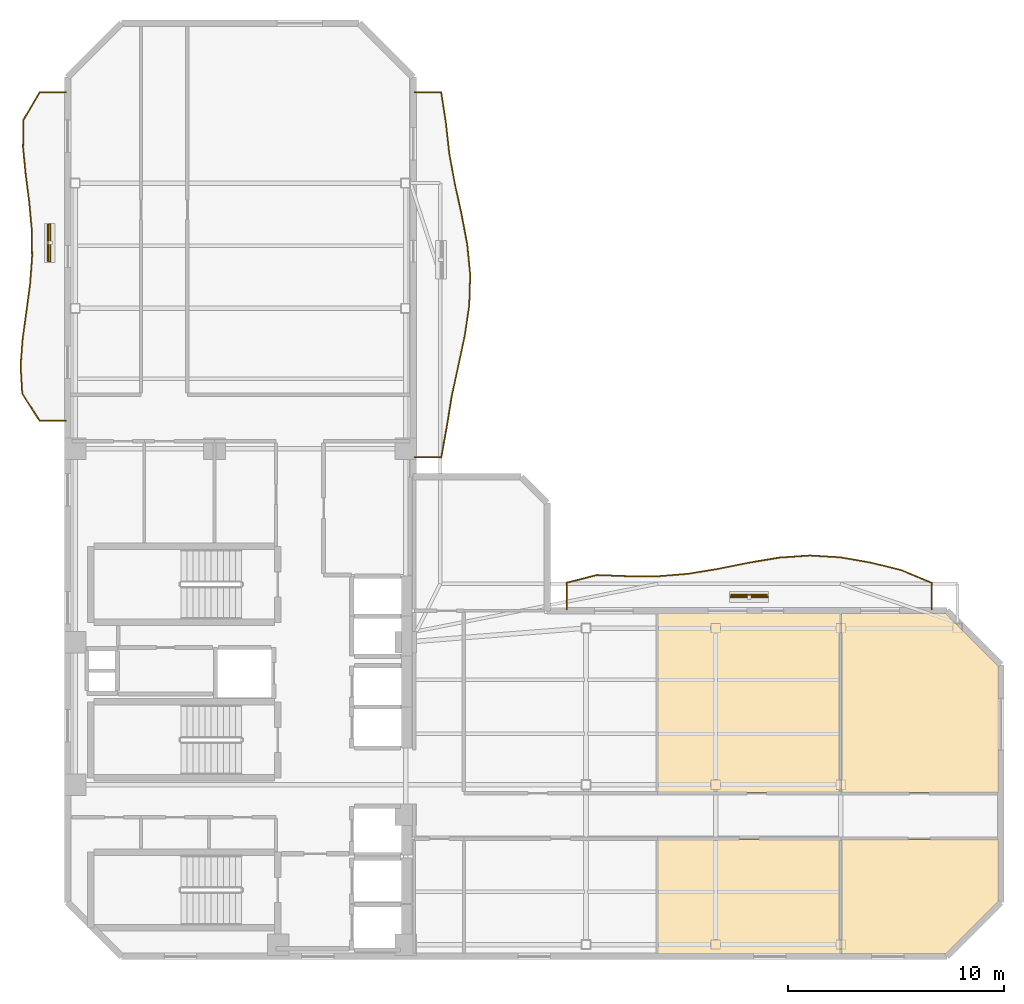
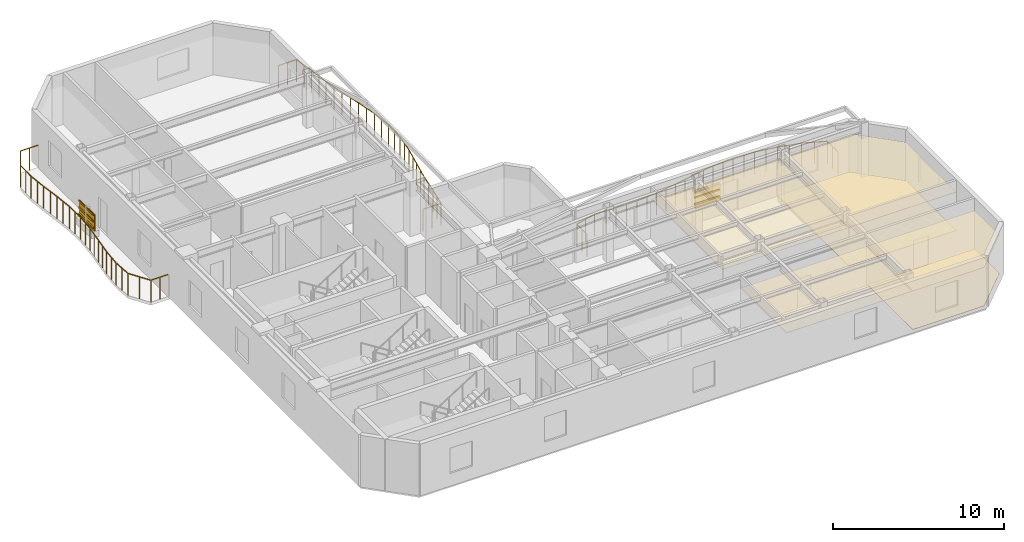
# One storey, part 7 of 8: 8 shading devices, 6 coverings, 3 railings.
"""IFC4 building model written with IfcOpenShell, lengths in metres."""

from ifc_helpers import new_model, si_unit, direction, frame, origin, origin_2d, place, context, subcontext, project, spatial, polyline, rectangle, outline, extrude, material, layer, layer_set, material_profile, profile_set, type_object, element, save


model = new_model("IFC4")

# Units and contexts
model_context = context("Model", 3, precision=1e-05, world=origin(), true_north=direction((0.0, 1.0)))
body_context = subcontext(model_context, "Body", "Model", "MODEL_VIEW")
ifc_project = project(units=[si_unit("LENGTHUNIT", "METRE"), si_unit("AREAUNIT", "SQUARE_METRE"), si_unit("VOLUMEUNIT", "CUBIC_METRE"), si_unit("PLANEANGLEUNIT", "RADIAN"), si_unit("MASSUNIT", "GRAM", prefix="KILO")], contexts=[model_context])

# Site, building, storey
site_placement = place(None, origin())
site = spatial("IfcSite", under=ifc_project, at=site_placement, CompositionType="ELEMENT")
building_placement = place(site_placement, origin())
building = spatial("IfcBuilding", under=site, at=building_placement, Name="Mawjaban Terraces University", CompositionType="ELEMENT")
storey_placement = place(building_placement, frame((0.0, 0.0, 218.699951171875)))
storey = spatial("IfcBuildingStorey", under=building, at=storey_placement, Name="L53", CompositionType="ELEMENT", Elevation=218.699951171875)

# Coverings
ifc_material_1 = material(Name="Acoustic mineral fibre ceiling tile", Category="masonry")
ifc_layer_1 = layer(ifc_material_1, 0.02001953125)
ifc_layer_set_1 = layer_set([ifc_layer_1], Name="Acoustic mineral fibre ceiling tile")
covering_type_1 = type_object("IfcCoveringType", Name="AcousticMineralCeiling_20", PredefinedType="CEILING", material=ifc_layer_set_1)
covering_1_placement = place(storey_placement, frame((0.0, 0.0, 2.75)))
element("IfcCovering", 1, at=covering_1_placement, inside=storey, type_object=covering_type_1, Name="L53 Graduate Study Lounge 4 Acoustic Ceiling", PredefinedType="CEILING", context=body_context, shape_type="SweptSolid", body=[
    extrude(outline(polyline([(49.325927734375, 0.114990234375), (57.77001953125, 0.114990234375), (57.77001953125, 5.419921875), (49.325927734375, 5.419921875), (49.325927734375, 0.114990234375)])), origin(), (0.0, 0.0, 1.0), 0.02001953125),
])
covering_2_placement = place(storey_placement, frame((0.0, 0.0, 2.75)))
element("IfcCovering", 2, at=covering_2_placement, inside=storey, type_object=covering_type_1, Name="L53 Collaborative Study Room 5 Acoustic Ceiling", PredefinedType="CEILING", context=body_context, shape_type="SweptSolid", body=[
    extrude(outline(polyline([(57.77001953125, 15.885009765625), (49.325927734375, 15.885009765625), (49.325927734375, 7.580078125), (57.77001953125, 7.580078125), (57.77001953125, 15.885009765625)])), origin(), (0.0, 0.0, 1.0), 0.02001953125),
])
covering_3_placement = place(storey_placement, frame((0.0, 0.0, 2.75)))
element("IfcCovering", 3, at=covering_3_placement, inside=storey, type_object=covering_type_1, Name="L53 Classroom 6 Acoustic Ceiling", PredefinedType="CEILING", context=body_context, shape_type="SweptSolid", body=[
    extrude(outline(polyline([(57.830078125, 0.114990234375), (62.653076171875, 0.114990234375), (65.0849609375, 2.547119140625), (65.0849609375, 5.419921875), (57.830078125, 5.419921875), (57.830078125, 0.114990234375)])), origin(), (0.0, 0.0, 1.0), 0.02001953125),
])
covering_4_placement = place(storey_placement, frame((0.0, 0.0, 2.75)))
element("IfcCovering", 4, at=covering_4_placement, inside=storey, type_object=covering_type_1, Name="L53 Seminar Room 7 Acoustic Ceiling", PredefinedType="CEILING", context=body_context, shape_type="SweptSolid", body=[
    extrude(outline(polyline([(65.0849609375, 7.580078125), (65.0849609375, 13.452880859375), (62.653076171875, 15.885009765625), (57.830078125, 15.885009765625), (57.830078125, 7.580078125), (65.0849609375, 7.580078125)])), origin(), (0.0, 0.0, 1.0), 0.02001953125),
])

# Railings
ifc_material_2 = material(Name="Galvanised powder-coated steel S355", Category="steel")
railing_type = type_object("IfcRailingType", Name="BalconyBalustrade_1600", PredefinedType="BALUSTRADE", material=ifc_material_2)
railing_1_placement = place(storey_placement, frame((21.919921875, 24.800048828125, 0.0)))
element("IfcRailing", 5, at=railing_1_placement, inside=storey, type_object=railing_type, Name="L53 Balcony Guardrail west", PredefinedType="BALUSTRADE", context=body_context, shape_type="SweptSolid", body=[
    extrude(rectangle(XDim=0.048095703125, YDim=0.048095703125, at=origin_2d()), frame((0.0, 0.0, 1.576171875), z_axis=(-1.0, 0.0, 0.0), x_axis=(0.0, -1.0, 0.0)), (0.0, 0.0, 1.0), 1.219970703125),
    extrude(rectangle(XDim=0.048095703125, YDim=0.048095703125, at=origin_2d()), frame((-1.219970703125, 0.0, 1.576171875), z_axis=(-0.535357970181, 0.844625268248, 0.0), x_axis=(-0.844625268248, -0.535357970181, 0.0)), (0.0, 0.0, 1.0), 1.5),
    extrude(rectangle(XDim=0.048095703125, YDim=0.048095703125, at=origin_2d()), frame((-2.02294921875, 1.266845703125, 1.576171875), z_axis=(-0.059094386176, 0.998252399708, 0.0), x_axis=(-0.998252399708, -0.059094386176, 0.0)), (0.0, 0.0, 1.0), 1.268310546875),
    extrude(rectangle(XDim=0.048095703125, YDim=0.048095703125, at=origin_2d()), frame((-2.097900390625, 2.532958984375, 1.576171875), z_axis=(0.074742182019, 0.997202891205, 0.0), x_axis=(-0.997202891205, 0.074742182019, 0.0)), (0.0, 0.0, 1.0), 1.270751953125),
    extrude(rectangle(XDim=0.048095703125, YDim=0.048095703125, at=origin_2d()), frame((-2.0029296875, 3.800048828125, 1.576171875), z_axis=(0.137625592159, 0.990484324148, 0.0), x_axis=(-0.990484324148, 0.137625592159, 0.0)), (0.0, 0.0, 1.0), 1.279052734375),
    extrude(rectangle(XDim=0.048095703125, YDim=0.048095703125, at=origin_2d()), frame((-1.826904296875, 5.06689453125, 1.576171875), z_axis=(0.133014918765, 0.991114035511, 0.0), x_axis=(-0.991114035511, 0.133014918765, 0.0)), (0.0, 0.0, 1.0), 1.27734375),
    extrude(rectangle(XDim=0.048095703125, YDim=0.048095703125, at=origin_2d()), frame((-1.656982421875, 6.3330078125, 1.576171875), z_axis=(0.0732274267, 0.997315268097, 0.0), x_axis=(-0.997315268097, 0.0732274267, 0.0)), (0.0, 0.0, 1.0), 1.270263671875),
    extrude(rectangle(XDim=0.048095703125, YDim=0.048095703125, at=origin_2d()), frame((-1.56396484375, 7.599853515625, 1.576171875), z_axis=(-0.01425673973, 0.999898367522, 0.0), x_axis=(-0.999898367522, -0.01425673973, 0.0)), (0.0, 0.0, 1.0), 1.267333984375),
    extrude(rectangle(XDim=0.048095703125, YDim=0.048095703125, at=origin_2d()), frame((-1.58203125, 8.866943359375, 1.576171875), z_axis=(-0.092734036255, 0.995690915154, 0.0), x_axis=(-0.995690915154, -0.092734036255, 0.0)), (0.0, 0.0, 1.0), 1.271484375),
    extrude(rectangle(XDim=0.048095703125, YDim=0.048095703125, at=origin_2d()), frame((-1.699951171875, 10.133056640625, 1.576171875), z_axis=(-0.127680223181, 0.991815386354, 0.0), x_axis=(-0.991815386354, -0.127680223181, 0.0)), (0.0, 0.0, 1.0), 1.27734375),
    extrude(rectangle(XDim=0.048095703125, YDim=0.048095703125, at=origin_2d()), frame((-1.863037109375, 11.39990234375, 1.576171875), z_axis=(-0.095705097535, 0.995409731872, 0.0), x_axis=(-0.995409731872, -0.095705097535, 0.0)), (0.0, 0.0, 1.0), 1.27294921875),
    extrude(rectangle(XDim=0.048095703125, YDim=0.048095703125, at=origin_2d()), frame((-1.98486328125, 12.6669921875, 1.576171875), z_axis=(0.017355148491, 0.999849388068, 0.0), x_axis=(-0.999849388068, 0.017355148491, 0.0)), (0.0, 0.0, 1.0), 1.26611328125),
    extrude(rectangle(XDim=0.048095703125, YDim=0.048095703125, at=origin_2d()), frame((-1.962890625, 13.932861328125, 1.576171875), z_axis=(0.505792014702, 0.862655457215, 0.0), x_axis=(-0.862655457215, 0.505792014702, 0.0)), (0.0, 0.0, 1.0), 1.46875),
    extrude(rectangle(XDim=0.048095703125, YDim=0.048095703125, at=origin_2d()), frame((-1.219970703125, 15.199951171875, 1.576171875), z_axis=(1.0, 0.0, 0.0), x_axis=(0.0, 1.0, 0.0)), (0.0, 0.0, 1.0), 1.219970703125),
    extrude(rectangle(XDim=0.0419921875, YDim=0.0419921875, at=origin_2d()), origin(), (0.0, 0.0, 1.0), 1.552001953125),
    extrude(rectangle(XDim=0.0419921875, YDim=0.0419921875, at=origin_2d()), frame((-0.60986328125, 0.0, 0.0)), (0.0, 0.0, 1.0), 1.552001953125),
    extrude(rectangle(XDim=0.0419921875, YDim=0.0419921875, at=origin_2d()), frame((-1.219970703125, 0.0, 0.0)), (0.0, 0.0, 1.0), 1.552001953125),
    extrude(rectangle(XDim=0.0419921875, YDim=0.0419921875, at=origin_2d()), frame((-1.62158203125, 0.63330078125, 0.0)), (0.0, 0.0, 1.0), 1.552001953125),
    extrude(rectangle(XDim=0.0419921875, YDim=0.0419921875, at=origin_2d()), frame((-2.02294921875, 1.266845703125, 0.0)), (0.0, 0.0, 1.0), 1.552001953125),
    extrude(rectangle(XDim=0.0419921875, YDim=0.0419921875, at=origin_2d()), frame((-2.060546875, 1.89990234375, 0.0)), (0.0, 0.0, 1.0), 1.552001953125),
    extrude(rectangle(XDim=0.0419921875, YDim=0.0419921875, at=origin_2d()), frame((-2.097900390625, 2.532958984375, 0.0)), (0.0, 0.0, 1.0), 1.552001953125),
    extrude(rectangle(XDim=0.0419921875, YDim=0.0419921875, at=origin_2d()), frame((-2.05029296875, 3.16650390625, 0.0)), (0.0, 0.0, 1.0), 1.552001953125),
    extrude(rectangle(XDim=0.0419921875, YDim=0.0419921875, at=origin_2d()), frame((-2.0029296875, 3.800048828125, 0.0)), (0.0, 0.0, 1.0), 1.552001953125),
    extrude(rectangle(XDim=0.0419921875, YDim=0.0419921875, at=origin_2d()), frame((-1.9150390625, 4.43359375, 0.0)), (0.0, 0.0, 1.0), 1.552001953125),
    extrude(rectangle(XDim=0.0419921875, YDim=0.0419921875, at=origin_2d()), frame((-1.826904296875, 5.06689453125, 0.0)), (0.0, 0.0, 1.0), 1.552001953125),
    extrude(rectangle(XDim=0.0419921875, YDim=0.0419921875, at=origin_2d()), frame((-1.741943359375, 5.699951171875, 0.0)), (0.0, 0.0, 1.0), 1.552001953125),
    extrude(rectangle(XDim=0.0419921875, YDim=0.0419921875, at=origin_2d()), frame((-1.656982421875, 6.3330078125, 0.0)), (0.0, 0.0, 1.0), 1.552001953125),
    extrude(rectangle(XDim=0.0419921875, YDim=0.0419921875, at=origin_2d()), frame((-1.6103515625, 6.96630859375, 0.0)), (0.0, 0.0, 1.0), 1.552001953125),
    extrude(rectangle(XDim=0.0419921875, YDim=0.0419921875, at=origin_2d()), frame((-1.56396484375, 7.599853515625, 0.0)), (0.0, 0.0, 1.0), 1.552001953125),
    extrude(rectangle(XDim=0.0419921875, YDim=0.0419921875, at=origin_2d()), frame((-1.572998046875, 8.2333984375, 0.0)), (0.0, 0.0, 1.0), 1.552001953125),
    extrude(rectangle(XDim=0.0419921875, YDim=0.0419921875, at=origin_2d()), frame((-1.58203125, 8.866943359375, 0.0)), (0.0, 0.0, 1.0), 1.552001953125),
    extrude(rectangle(XDim=0.0419921875, YDim=0.0419921875, at=origin_2d()), frame((-1.64111328125, 9.5, 0.0)), (0.0, 0.0, 1.0), 1.552001953125),
    extrude(rectangle(XDim=0.0419921875, YDim=0.0419921875, at=origin_2d()), frame((-1.699951171875, 10.133056640625, 0.0)), (0.0, 0.0, 1.0), 1.552001953125),
    extrude(rectangle(XDim=0.0419921875, YDim=0.0419921875, at=origin_2d()), frame((-1.781494140625, 10.7666015625, 0.0)), (0.0, 0.0, 1.0), 1.552001953125),
    extrude(rectangle(XDim=0.0419921875, YDim=0.0419921875, at=origin_2d()), frame((-1.863037109375, 11.39990234375, 0.0)), (0.0, 0.0, 1.0), 1.552001953125),
    extrude(rectangle(XDim=0.0419921875, YDim=0.0419921875, at=origin_2d()), frame((-1.923828125, 12.033447265625, 0.0)), (0.0, 0.0, 1.0), 1.552001953125),
    extrude(rectangle(XDim=0.0419921875, YDim=0.0419921875, at=origin_2d()), frame((-1.98486328125, 12.6669921875, 0.0)), (0.0, 0.0, 1.0), 1.552001953125),
    extrude(rectangle(XDim=0.0419921875, YDim=0.0419921875, at=origin_2d()), frame((-1.973876953125, 13.2998046875, 0.0)), (0.0, 0.0, 1.0), 1.552001953125),
    extrude(rectangle(XDim=0.0419921875, YDim=0.0419921875, at=origin_2d()), frame((-1.962890625, 13.932861328125, 0.0)), (0.0, 0.0, 1.0), 1.552001953125),
    extrude(rectangle(XDim=0.0419921875, YDim=0.0419921875, at=origin_2d()), frame((-1.59130859375, 14.56640625, 0.0)), (0.0, 0.0, 1.0), 1.552001953125),
    extrude(rectangle(XDim=0.0419921875, YDim=0.0419921875, at=origin_2d()), frame((-1.219970703125, 15.199951171875, 0.0)), (0.0, 0.0, 1.0), 1.552001953125),
    extrude(rectangle(XDim=0.0419921875, YDim=0.0419921875, at=origin_2d()), frame((-0.60986328125, 15.199951171875, 0.0)), (0.0, 0.0, 1.0), 1.552001953125),
    extrude(rectangle(XDim=0.0419921875, YDim=0.0419921875, at=origin_2d()), frame((0.0, 15.199951171875, 0.0)), (0.0, 0.0, 1.0), 1.552001953125),
])
railing_2_placement = place(storey_placement, frame((45.10009765625, 16.080078125, 0.0)))
element("IfcRailing", 6, at=railing_2_placement, inside=storey, type_object=railing_type, Name="L53 Balcony Guardrail inner_north", PredefinedType="BALUSTRADE", context=body_context, shape_type="SweptSolid", body=[
    extrude(rectangle(XDim=0.048095703125, YDim=0.048095703125, at=origin_2d()), frame((0.0, 0.0, 1.576171875), z_axis=(0.0, 1.0, 0.0), x_axis=(-1.0, 0.0, 0.0)), (0.0, 0.0, 1.0), 1.219970703125),
    extrude(rectangle(XDim=0.048095703125, YDim=0.048095703125, at=origin_2d()), frame((0.0, 1.219970703125, 1.576171875), z_axis=(0.968854277301, 0.247631559692, 0.0), x_axis=(-0.247631559692, 0.968854277301, 0.0)), (0.0, 0.0, 1.0), 1.453125),
    extrude(rectangle(XDim=0.048095703125, YDim=0.048095703125, at=origin_2d()), frame((1.407958984375, 1.579833984375, 1.576171875), z_axis=(0.999293801019, -0.03757524776, 0.0), x_axis=(0.03757524776, 0.999293801019, 0.0)), (0.0, 0.0, 1.0), 1.409912109375),
    extrude(rectangle(XDim=0.048095703125, YDim=0.048095703125, at=origin_2d()), frame((2.81689453125, 1.52685546875, 1.576171875), z_axis=(0.999991340617, -0.004161573119, 0.0), x_axis=(0.004161573119, 0.999991340617, 0.0)), (0.0, 0.0, 1.0), 1.407958984375),
    extrude(rectangle(XDim=0.048095703125, YDim=0.048095703125, at=origin_2d()), frame((4.224853515625, 1.52099609375, 1.576171875), z_axis=(0.996625150083, 0.082087211078, 0.0), x_axis=(-0.082087211078, 0.996625150083, 0.0)), (0.0, 0.0, 1.0), 1.412841796875),
    extrude(rectangle(XDim=0.048095703125, YDim=0.048095703125, at=origin_2d()), frame((5.6328125, 1.636962890625, 1.576171875), z_axis=(0.986614775078, 0.163068346401, 0.0), x_axis=(-0.163068346401, 0.986614775078, 0.0)), (0.0, 0.0, 1.0), 1.42822265625),
    extrude(rectangle(XDim=0.048095703125, YDim=0.048095703125, at=origin_2d()), frame((7.0419921875, 1.869873046875, 1.576171875), z_axis=(0.980397170161, 0.197031440995, 0.0), x_axis=(-0.197031440995, 0.980397170161, 0.0)), (0.0, 0.0, 1.0), 1.43603515625),
    extrude(rectangle(XDim=0.048095703125, YDim=0.048095703125, at=origin_2d()), frame((8.449951171875, 2.15283203125, 1.576171875), z_axis=(0.986453957094, 0.164038381282, 0.0), x_axis=(-0.164038381282, 0.986453957094, 0.0)), (0.0, 0.0, 1.0), 1.42724609375),
    extrude(rectangle(XDim=0.048095703125, YDim=0.048095703125, at=origin_2d()), frame((9.85791015625, 2.386962890625, 1.576171875), z_axis=(0.997642179332, 0.068630037289, 0.0), x_axis=(-0.068630037289, 0.997642179332, 0.0)), (0.0, 0.0, 1.0), 1.412353515625),
    extrude(rectangle(XDim=0.048095703125, YDim=0.048095703125, at=origin_2d()), frame((11.266845703125, 2.48388671875, 1.576171875), z_axis=(0.998225688252, -0.059543894011, 0.0), x_axis=(0.059543894011, 0.998225688252, 0.0)), (0.0, 0.0, 1.0), 1.410400390625),
    extrude(rectangle(XDim=0.048095703125, YDim=0.048095703125, at=origin_2d()), frame((12.6748046875, 2.39990234375, 1.576171875), z_axis=(0.985071038124, -0.17214833676, 0.0), x_axis=(0.17214833676, 0.985071038124, 0.0)), (0.0, 0.0, 1.0), 1.429443359375),
    extrude(rectangle(XDim=0.048095703125, YDim=0.048095703125, at=origin_2d()), frame((14.0830078125, 2.15380859375, 1.576171875), z_axis=(0.971153516604, -0.238455126153, 0.0), x_axis=(0.238455126153, 0.971153516604, 0.0)), (0.0, 0.0, 1.0), 1.45068359375),
    extrude(rectangle(XDim=0.048095703125, YDim=0.048095703125, at=origin_2d()), frame((15.491943359375, 1.807861328125, 1.576171875), z_axis=(0.92278788425, -0.385308344941, 0.0), x_axis=(0.385308344941, 0.92278788425, 0.0)), (0.0, 0.0, 1.0), 1.52587890625),
    extrude(rectangle(XDim=0.048095703125, YDim=0.048095703125, at=origin_2d()), frame((16.89990234375, 1.219970703125, 1.576171875), z_axis=(0.0, -1.0, 0.0), x_axis=(1.0, 0.0, 0.0)), (0.0, 0.0, 1.0), 1.219970703125),
    extrude(rectangle(XDim=0.0419921875, YDim=0.0419921875, at=origin_2d()), origin(), (0.0, 0.0, 1.0), 1.552001953125),
    extrude(rectangle(XDim=0.0419921875, YDim=0.0419921875, at=origin_2d()), frame((0.0, 0.60986328125, 0.0)), (0.0, 0.0, 1.0), 1.552001953125),
    extrude(rectangle(XDim=0.0419921875, YDim=0.0419921875, at=origin_2d()), frame((0.0, 1.219970703125, 0.0)), (0.0, 0.0, 1.0), 1.552001953125),
    extrude(rectangle(XDim=0.0419921875, YDim=0.0419921875, at=origin_2d()), frame((0.7041015625, 1.39990234375, 0.0)), (0.0, 0.0, 1.0), 1.552001953125),
    extrude(rectangle(XDim=0.0419921875, YDim=0.0419921875, at=origin_2d()), frame((1.407958984375, 1.579833984375, 0.0)), (0.0, 0.0, 1.0), 1.552001953125),
    extrude(rectangle(XDim=0.0419921875, YDim=0.0419921875, at=origin_2d()), frame((2.1123046875, 1.55322265625, 0.0)), (0.0, 0.0, 1.0), 1.552001953125),
    extrude(rectangle(XDim=0.0419921875, YDim=0.0419921875, at=origin_2d()), frame((2.81689453125, 1.52685546875, 0.0)), (0.0, 0.0, 1.0), 1.552001953125),
    extrude(rectangle(XDim=0.0419921875, YDim=0.0419921875, at=origin_2d()), frame((3.52099609375, 1.52392578125, 0.0)), (0.0, 0.0, 1.0), 1.552001953125),
    extrude(rectangle(XDim=0.0419921875, YDim=0.0419921875, at=origin_2d()), frame((4.224853515625, 1.52099609375, 0.0)), (0.0, 0.0, 1.0), 1.552001953125),
    extrude(rectangle(XDim=0.0419921875, YDim=0.0419921875, at=origin_2d()), frame((4.9287109375, 1.5791015625, 0.0)), (0.0, 0.0, 1.0), 1.552001953125),
    extrude(rectangle(XDim=0.0419921875, YDim=0.0419921875, at=origin_2d()), frame((5.6328125, 1.636962890625, 0.0)), (0.0, 0.0, 1.0), 1.552001953125),
    extrude(rectangle(XDim=0.0419921875, YDim=0.0419921875, at=origin_2d()), frame((6.33740234375, 1.75341796875, 0.0)), (0.0, 0.0, 1.0), 1.552001953125),
    extrude(rectangle(XDim=0.0419921875, YDim=0.0419921875, at=origin_2d()), frame((7.0419921875, 1.869873046875, 0.0)), (0.0, 0.0, 1.0), 1.552001953125),
    extrude(rectangle(XDim=0.0419921875, YDim=0.0419921875, at=origin_2d()), frame((7.74609375, 2.01123046875, 0.0)), (0.0, 0.0, 1.0), 1.552001953125),
    extrude(rectangle(XDim=0.0419921875, YDim=0.0419921875, at=origin_2d()), frame((8.449951171875, 2.15283203125, 0.0)), (0.0, 0.0, 1.0), 1.552001953125),
    extrude(rectangle(XDim=0.0419921875, YDim=0.0419921875, at=origin_2d()), frame((9.15380859375, 2.27001953125, 0.0)), (0.0, 0.0, 1.0), 1.552001953125),
    extrude(rectangle(XDim=0.0419921875, YDim=0.0419921875, at=origin_2d()), frame((9.85791015625, 2.386962890625, 0.0)), (0.0, 0.0, 1.0), 1.552001953125),
    extrude(rectangle(XDim=0.0419921875, YDim=0.0419921875, at=origin_2d()), frame((10.5625, 2.435546875, 0.0)), (0.0, 0.0, 1.0), 1.552001953125),
    extrude(rectangle(XDim=0.0419921875, YDim=0.0419921875, at=origin_2d()), frame((11.266845703125, 2.48388671875, 0.0)), (0.0, 0.0, 1.0), 1.552001953125),
    extrude(rectangle(XDim=0.0419921875, YDim=0.0419921875, at=origin_2d()), frame((11.970703125, 2.44189453125, 0.0)), (0.0, 0.0, 1.0), 1.552001953125),
    extrude(rectangle(XDim=0.0419921875, YDim=0.0419921875, at=origin_2d()), frame((12.6748046875, 2.39990234375, 0.0)), (0.0, 0.0, 1.0), 1.552001953125),
    extrude(rectangle(XDim=0.0419921875, YDim=0.0419921875, at=origin_2d()), frame((13.37890625, 2.27685546875, 0.0)), (0.0, 0.0, 1.0), 1.552001953125),
    extrude(rectangle(XDim=0.0419921875, YDim=0.0419921875, at=origin_2d()), frame((14.0830078125, 2.15380859375, 0.0)), (0.0, 0.0, 1.0), 1.552001953125),
    extrude(rectangle(XDim=0.0419921875, YDim=0.0419921875, at=origin_2d()), frame((14.78759765625, 1.98095703125, 0.0)), (0.0, 0.0, 1.0), 1.552001953125),
    extrude(rectangle(XDim=0.0419921875, YDim=0.0419921875, at=origin_2d()), frame((15.491943359375, 1.807861328125, 0.0)), (0.0, 0.0, 1.0), 1.552001953125),
    extrude(rectangle(XDim=0.0419921875, YDim=0.0419921875, at=origin_2d()), frame((16.19580078125, 1.513916015625, 0.0)), (0.0, 0.0, 1.0), 1.552001953125),
    extrude(rectangle(XDim=0.0419921875, YDim=0.0419921875, at=origin_2d()), frame((16.89990234375, 1.219970703125, 0.0)), (0.0, 0.0, 1.0), 1.552001953125),
    extrude(rectangle(XDim=0.0419921875, YDim=0.0419921875, at=origin_2d()), frame((16.89990234375, 0.60986328125, 0.0)), (0.0, 0.0, 1.0), 1.552001953125),
    extrude(rectangle(XDim=0.0419921875, YDim=0.0419921875, at=origin_2d()), frame((16.89990234375, 0.0, 0.0)), (0.0, 0.0, 1.0), 1.552001953125),
])
railing_3_placement = place(storey_placement, frame((38.080078125, 23.10009765625, 0.0)))
element("IfcRailing", 7, at=railing_3_placement, inside=storey, type_object=railing_type, Name="L53 Balcony Guardrail inner_east", PredefinedType="BALUSTRADE", context=body_context, shape_type="SweptSolid", body=[
    extrude(rectangle(XDim=0.048095703125, YDim=0.048095703125, at=origin_2d()), frame((0.0, 0.0, 1.576171875), z_axis=(1.0, 0.0, 0.0), x_axis=(0.0, 1.0, 0.0)), (0.0, 0.0, 1.0), 1.219970703125),
    extrude(rectangle(XDim=0.048095703125, YDim=0.048095703125, at=origin_2d()), frame((1.219970703125, 0.0, 1.576171875), z_axis=(0.179455845727, 0.983766028807, 0.0), x_axis=(-0.983766028807, 0.179455845727, 0.0)), (0.0, 0.0, 1.0), 1.43115234375),
    extrude(rectangle(XDim=0.048095703125, YDim=0.048095703125, at=origin_2d()), frame((1.476806640625, 1.407958984375, 1.576171875), z_axis=(0.159097973205, 0.98726279932, 0.0), x_axis=(-0.98726279932, 0.159097973205, 0.0)), (0.0, 0.0, 1.0), 1.427001953125),
    extrude(rectangle(XDim=0.048095703125, YDim=0.048095703125, at=origin_2d()), frame((1.703857421875, 2.81689453125, 1.576171875), z_axis=(0.210374128921, 0.977620952047, 0.0), x_axis=(-0.977620952047, 0.210374128921, 0.0)), (0.0, 0.0, 1.0), 1.440185546875),
    extrude(rectangle(XDim=0.048095703125, YDim=0.048095703125, at=origin_2d()), frame((2.0068359375, 4.224853515625, 1.576171875), z_axis=(0.210374128921, 0.977620952047, 0.0), x_axis=(-0.977620952047, 0.210374128921, 0.0)), (0.0, 0.0, 1.0), 1.440185546875),
    extrude(rectangle(XDim=0.048095703125, YDim=0.048095703125, at=origin_2d()), frame((2.309814453125, 5.6328125, 1.576171875), z_axis=(0.146865403376, 0.989156485745, 0.0), x_axis=(-0.989156485745, 0.146865403376, 0.0)), (0.0, 0.0, 1.0), 1.424560546875),
    extrude(rectangle(XDim=0.048095703125, YDim=0.048095703125, at=origin_2d()), frame((2.51904296875, 7.0419921875, 1.576171875), z_axis=(0.030504264964, 0.999534636628, 0.0), x_axis=(-0.999534636628, 0.030504264964, 0.0)), (0.0, 0.0, 1.0), 1.40869140625),
    extrude(rectangle(XDim=0.048095703125, YDim=0.048095703125, at=origin_2d()), frame((2.56201171875, 8.449951171875, 1.576171875), z_axis=(-0.096136649371, 0.995368145285, 0.0), x_axis=(-0.995368145285, -0.096136649371, 0.0)), (0.0, 0.0, 1.0), 1.41455078125),
    extrude(rectangle(XDim=0.048095703125, YDim=0.048095703125, at=origin_2d()), frame((2.426025390625, 9.85791015625, 1.576171875), z_axis=(-0.18625148196, 0.982502104561, 0.0), x_axis=(-0.982502104561, -0.18625148196, 0.0)), (0.0, 0.0, 1.0), 1.43408203125),
    extrude(rectangle(XDim=0.048095703125, YDim=0.048095703125, at=origin_2d()), frame((2.158935546875, 11.266845703125, 1.576171875), z_axis=(-0.214419117863, 0.9767417478, 0.0), x_axis=(-0.9767417478, -0.214419117863, 0.0)), (0.0, 0.0, 1.0), 1.44140625),
    extrude(rectangle(XDim=0.048095703125, YDim=0.048095703125, at=origin_2d()), frame((1.849853515625, 12.6748046875, 1.576171875), z_axis=(-0.180085877535, 0.983650891685, 0.0), x_axis=(-0.983650891685, -0.180085877535, 0.0)), (0.0, 0.0, 1.0), 1.431640625),
    extrude(rectangle(XDim=0.048095703125, YDim=0.048095703125, at=origin_2d()), frame((1.592041015625, 14.0830078125, 1.576171875), z_axis=(-0.109372813572, 0.994000798617, 0.0), x_axis=(-0.994000798617, -0.109372813572, 0.0)), (0.0, 0.0, 1.0), 1.41748046875),
    extrude(rectangle(XDim=0.048095703125, YDim=0.048095703125, at=origin_2d()), frame((1.43701171875, 15.491943359375, 1.576171875), z_axis=(-0.152353370836, 0.988326085052, 0.0), x_axis=(-0.988326085052, -0.152353370836, 0.0)), (0.0, 0.0, 1.0), 1.424560546875),
    extrude(rectangle(XDim=0.048095703125, YDim=0.048095703125, at=origin_2d()), frame((1.219970703125, 16.89990234375, 1.576171875), z_axis=(-1.0, 0.0, 0.0), x_axis=(0.0, -1.0, 0.0)), (0.0, 0.0, 1.0), 1.219970703125),
    extrude(rectangle(XDim=0.0419921875, YDim=0.0419921875, at=origin_2d()), origin(), (0.0, 0.0, 1.0), 1.552001953125),
    extrude(rectangle(XDim=0.0419921875, YDim=0.0419921875, at=origin_2d()), frame((0.60986328125, 0.0, 0.0)), (0.0, 0.0, 1.0), 1.552001953125),
    extrude(rectangle(XDim=0.0419921875, YDim=0.0419921875, at=origin_2d()), frame((1.219970703125, 0.0, 0.0)), (0.0, 0.0, 1.0), 1.552001953125),
    extrude(rectangle(XDim=0.0419921875, YDim=0.0419921875, at=origin_2d()), frame((1.348388671875, 0.7041015625, 0.0)), (0.0, 0.0, 1.0), 1.552001953125),
    extrude(rectangle(XDim=0.0419921875, YDim=0.0419921875, at=origin_2d()), frame((1.476806640625, 1.407958984375, 0.0)), (0.0, 0.0, 1.0), 1.552001953125),
    extrude(rectangle(XDim=0.0419921875, YDim=0.0419921875, at=origin_2d()), frame((1.59033203125, 2.1123046875, 0.0)), (0.0, 0.0, 1.0), 1.552001953125),
    extrude(rectangle(XDim=0.0419921875, YDim=0.0419921875, at=origin_2d()), frame((1.703857421875, 2.81689453125, 0.0)), (0.0, 0.0, 1.0), 1.552001953125),
    extrude(rectangle(XDim=0.0419921875, YDim=0.0419921875, at=origin_2d()), frame((1.85546875, 3.52099609375, 0.0)), (0.0, 0.0, 1.0), 1.552001953125),
    extrude(rectangle(XDim=0.0419921875, YDim=0.0419921875, at=origin_2d()), frame((2.0068359375, 4.224853515625, 0.0)), (0.0, 0.0, 1.0), 1.552001953125),
    extrude(rectangle(XDim=0.0419921875, YDim=0.0419921875, at=origin_2d()), frame((2.158203125, 4.9287109375, 0.0)), (0.0, 0.0, 1.0), 1.552001953125),
    extrude(rectangle(XDim=0.0419921875, YDim=0.0419921875, at=origin_2d()), frame((2.309814453125, 5.6328125, 0.0)), (0.0, 0.0, 1.0), 1.552001953125),
    extrude(rectangle(XDim=0.0419921875, YDim=0.0419921875, at=origin_2d()), frame((2.41455078125, 6.33740234375, 0.0)), (0.0, 0.0, 1.0), 1.552001953125),
    extrude(rectangle(XDim=0.0419921875, YDim=0.0419921875, at=origin_2d()), frame((2.51904296875, 7.0419921875, 0.0)), (0.0, 0.0, 1.0), 1.552001953125),
    extrude(rectangle(XDim=0.0419921875, YDim=0.0419921875, at=origin_2d()), frame((2.54052734375, 7.74609375, 0.0)), (0.0, 0.0, 1.0), 1.552001953125),
    extrude(rectangle(XDim=0.0419921875, YDim=0.0419921875, at=origin_2d()), frame((2.56201171875, 8.449951171875, 0.0)), (0.0, 0.0, 1.0), 1.552001953125),
    extrude(rectangle(XDim=0.0419921875, YDim=0.0419921875, at=origin_2d()), frame((2.494140625, 9.15380859375, 0.0)), (0.0, 0.0, 1.0), 1.552001953125),
    extrude(rectangle(XDim=0.0419921875, YDim=0.0419921875, at=origin_2d()), frame((2.426025390625, 9.85791015625, 0.0)), (0.0, 0.0, 1.0), 1.552001953125),
    extrude(rectangle(XDim=0.0419921875, YDim=0.0419921875, at=origin_2d()), frame((2.29248046875, 10.5625, 0.0)), (0.0, 0.0, 1.0), 1.552001953125),
    extrude(rectangle(XDim=0.0419921875, YDim=0.0419921875, at=origin_2d()), frame((2.158935546875, 11.266845703125, 0.0)), (0.0, 0.0, 1.0), 1.552001953125),
    extrude(rectangle(XDim=0.0419921875, YDim=0.0419921875, at=origin_2d()), frame((2.00439453125, 11.970703125, 0.0)), (0.0, 0.0, 1.0), 1.552001953125),
    extrude(rectangle(XDim=0.0419921875, YDim=0.0419921875, at=origin_2d()), frame((1.849853515625, 12.6748046875, 0.0)), (0.0, 0.0, 1.0), 1.552001953125),
    extrude(rectangle(XDim=0.0419921875, YDim=0.0419921875, at=origin_2d()), frame((1.720947265625, 13.37890625, 0.0)), (0.0, 0.0, 1.0), 1.552001953125),
    extrude(rectangle(XDim=0.0419921875, YDim=0.0419921875, at=origin_2d()), frame((1.592041015625, 14.0830078125, 0.0)), (0.0, 0.0, 1.0), 1.552001953125),
    extrude(rectangle(XDim=0.0419921875, YDim=0.0419921875, at=origin_2d()), frame((1.5146484375, 14.78759765625, 0.0)), (0.0, 0.0, 1.0), 1.552001953125),
    extrude(rectangle(XDim=0.0419921875, YDim=0.0419921875, at=origin_2d()), frame((1.43701171875, 15.491943359375, 0.0)), (0.0, 0.0, 1.0), 1.552001953125),
    extrude(rectangle(XDim=0.0419921875, YDim=0.0419921875, at=origin_2d()), frame((1.32861328125, 16.19580078125, 0.0)), (0.0, 0.0, 1.0), 1.552001953125),
    extrude(rectangle(XDim=0.0419921875, YDim=0.0419921875, at=origin_2d()), frame((1.219970703125, 16.89990234375, 0.0)), (0.0, 0.0, 1.0), 1.552001953125),
    extrude(rectangle(XDim=0.0419921875, YDim=0.0419921875, at=origin_2d()), frame((0.60986328125, 16.89990234375, 0.0)), (0.0, 0.0, 1.0), 1.552001953125),
    extrude(rectangle(XDim=0.0419921875, YDim=0.0419921875, at=origin_2d()), frame((0.0, 16.89990234375, 0.0)), (0.0, 0.0, 1.0), 1.552001953125),
])

# Shading devices
ifc_material_3 = material(Name="Glazed architectural terracotta ceramic", Category="masonry")
ifc_material_profile = material_profile(ifc_material_3, rectangle(XDim=0.06494140625, YDim=0.110107421875, at=origin_2d()), Name="TBAG110X65")
ifc_profile_set = profile_set([ifc_material_profile], Name="Glazed architectural terracotta ceramic")
shading_device_type_1 = type_object("IfcShadingDeviceType", Name="TerracottaBaguette_110x65", PredefinedType="USERDEFINED", material=ifc_profile_set)
for number, where, z_axis, x_axis, name in (
    (8, (21.093017578125, 32.18408203125, 0.679931640625), (0.0, 1.0, 0.0), (-1.0, 0.0, 0.0), "L53 Horizontal Terracotta Baguette west.1"),
    (9, (21.093017578125, 32.18408203125, 1.150146484375), (0.0, 1.0, 0.0), (-1.0, 0.0, 0.0), "L53 Horizontal Terracotta Baguette west.2"),
    (10, (21.093017578125, 32.18408203125, 1.6201171875), (0.0, 1.0, 0.0), (-1.0, 0.0, 0.0), "L53 Horizontal Terracotta Baguette west.3"),
    (11, (52.699951171875, 16.72998046875, 0.679931640625), (1.0, 0.0, 0.0), (0.0, 1.0, 0.0), "L53 Horizontal Terracotta Baguette inner_north.1"),
    (12, (52.699951171875, 16.72998046875, 1.150146484375), (1.0, 0.0, 0.0), (0.0, 1.0, 0.0), "L53 Horizontal Terracotta Baguette inner_north.2"),
    (13, (52.699951171875, 16.72998046875, 1.6201171875), (1.0, 0.0, 0.0), (0.0, 1.0, 0.0), "L53 Horizontal Terracotta Baguette inner_north.3"),
):
    element("IfcShadingDevice", number, at=place(storey_placement, frame(where, z_axis=z_axis, x_axis=x_axis)), inside=storey, type_object=shading_device_type_1, Name=name, ObjectType="BAGUETTE", PredefinedType="USERDEFINED", context=body_context, shape_type="SweptSolid", body=[
        extrude(rectangle(XDim=0.06494140625, YDim=0.110107421875, at=origin_2d()), origin(), (0.0, 0.0, 1.0), 1.699951171875),
    ])
ifc_layer_2 = layer(ifc_material_3, 0.080078125)
ifc_layer_set_2 = layer_set([ifc_layer_2], Name="Glazed architectural terracotta ceramic")
shading_device_type_2 = type_object("IfcShadingDeviceType", Name="TerracottaScreen_Perforated", PredefinedType="USERDEFINED", material=ifc_layer_set_2)
for number, where, z_axis, x_axis, name in (
    (14, (21.177978515625, 33.033935546875, 0.440185546875), (0.0, 0.0, 1.0), (0.0, 1.0, 0.0), "L53 Balcony Perforated Terracotta Screen west"),
    (15, (53.550048828125, 16.64501953125, 0.440185546875), (0.0, 0.0, 1.0), (1.0, 0.0, 0.0), "L53 Balcony Perforated Terracotta Screen inner_north"),
):
    element("IfcShadingDevice", number, at=place(storey_placement, frame(where, z_axis=z_axis, x_axis=x_axis)), inside=storey, type_object=shading_device_type_2, Name=name, ObjectType="SCREEN", PredefinedType="USERDEFINED", context=body_context, shape_type="SweptSolid", body=[
        extrude(rectangle(XDim=1.75, YDim=0.080078125, at=origin_2d()), origin(), (0.0, 0.0, 1.0), 1.14990234375),
    ])

# Coverings
ifc_material_4 = material(Name="Polished Hijazi granite terrazzo flooring", Category="masonry")
ifc_layer_3 = layer(ifc_material_4, 0.02490234375)
ifc_layer_set_3 = layer_set([ifc_layer_3], Name="Polished Hijazi granite terrazzo flooring")
covering_type_2 = type_object("IfcCoveringType", Name="TerrazzoConcourseFlooring_25", PredefinedType="FLOORING", material=ifc_layer_set_3)
covering_5_placement = place(storey_placement, origin())
element("IfcCovering", 16, at=covering_5_placement, inside=storey, type_object=covering_type_2, Name="L53 Classroom 6 Terrazzo Flooring", PredefinedType="FLOORING", context=body_context, shape_type="SweptSolid", body=[
    extrude(outline(polyline([(57.830078125, 0.114990234375), (62.653076171875, 0.114990234375), (65.0849609375, 2.547119140625), (65.0849609375, 5.419921875), (57.830078125, 5.419921875), (57.830078125, 0.114990234375)])), origin(), (0.0, 0.0, 1.0), 0.025146484375),
])
covering_6_placement = place(storey_placement, origin())
element("IfcCovering", 17, at=covering_6_placement, inside=storey, type_object=covering_type_2, Name="L53 Seminar Room 7 Terrazzo Flooring", PredefinedType="FLOORING", context=body_context, shape_type="SweptSolid", body=[
    extrude(outline(polyline([(65.0849609375, 7.580078125), (65.0849609375, 13.452880859375), (62.653076171875, 15.885009765625), (57.830078125, 15.885009765625), (57.830078125, 7.580078125), (65.0849609375, 7.580078125)])), origin(), (0.0, 0.0, 1.0), 0.025146484375),
])

save(model, "model.ifc")
